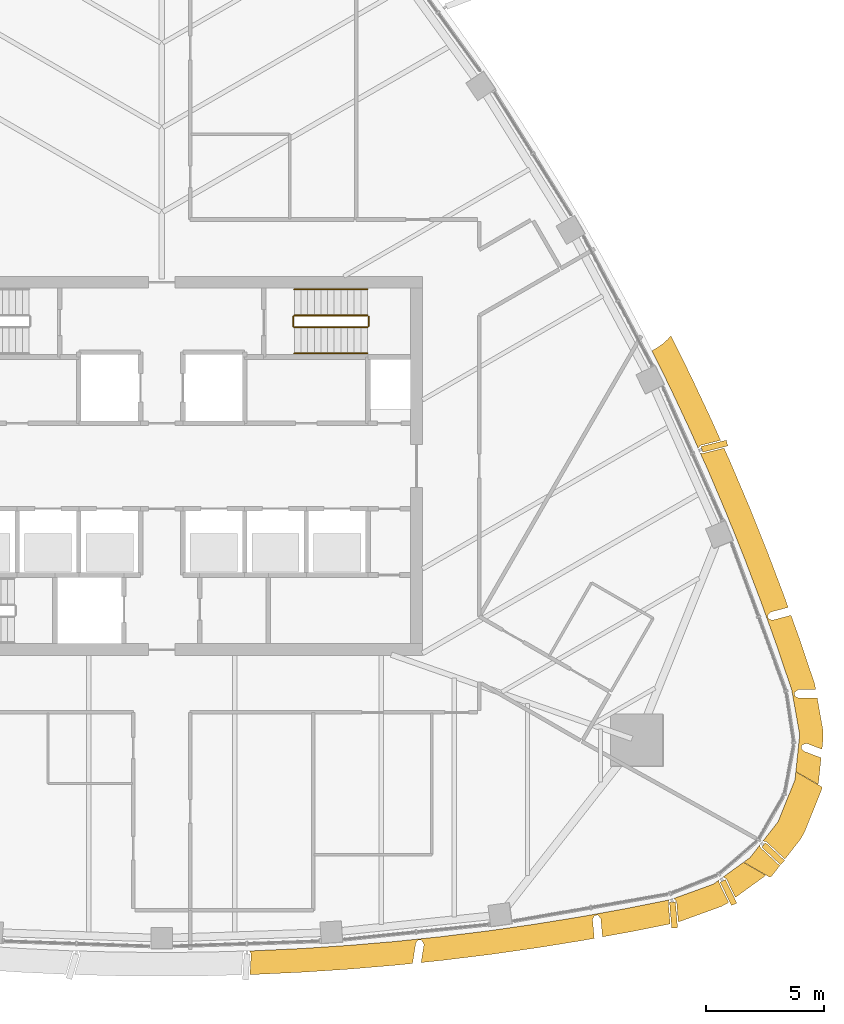
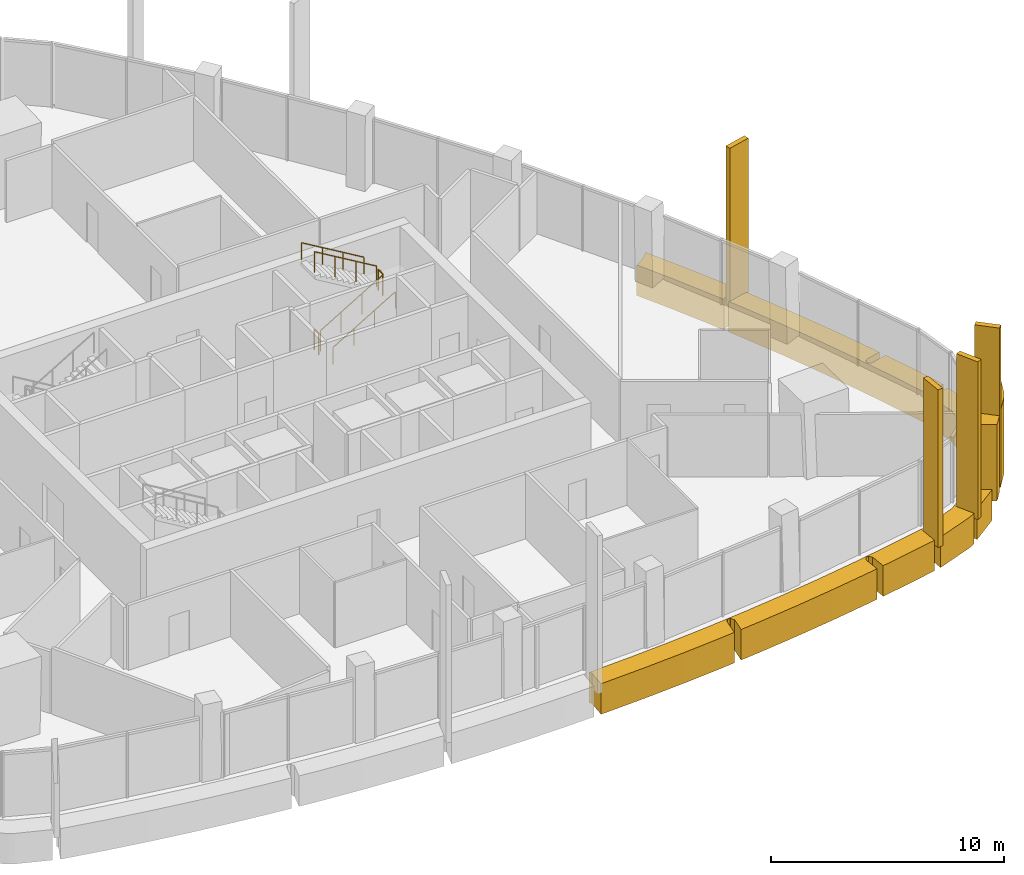
# One storey, part 17 of 19: 11 coverings, 6 railings.
"""IFC4 building model written with IfcOpenShell, lengths in metres."""

import ifcopenshell
import ifcopenshell.guid

model = None  # the IFC model being written
_history = None  # IfcOwnerHistory: only IFC2X3 demands one
_inside = {}  # id of a spatial element -> (the spatial element, [elements in it])
_under = {}  # id of a project, library or spatial element -> (it, [spatial elements below it])
_declared = {}  # id of a project -> (the project, [libraries it declares])
_typed = {}  # id of a type object -> (the type object, [elements of that type])
_made_of = {}  # id of a material, layer set ... -> (it, [elements and type objects made of it])


def new_model(schema):
    """Start an empty IFC model of exactly this schema.

    Asked for "IFC4X3", IfcOpenShell would pick the latest addendum, in which some entities
    have other attributes; the version numbers below select the first issue.
    IFC2X3 requires an IfcOwnerHistory on every rooted entity: one is made here for all.
    """
    global model, _history
    if schema == "IFC4X3":
        model = ifcopenshell.file(schema_version=(4, 3, 0, 0))
    else:
        model = ifcopenshell.file(schema=schema)
    _inside.clear()
    _under.clear()
    _declared.clear()
    _typed.clear()
    _made_of.clear()
    _history = None
    if model.schema == "IFC2X3":
        org = make("IfcOrganization", Name="unknown")
        user = make(
            "IfcPersonAndOrganization",
            ThePerson=make("IfcPerson", FamilyName="unknown"),
            TheOrganization=org,
        )
        app = make(
            "IfcApplication",
            ApplicationDeveloper=org,
            Version="unknown",
            ApplicationFullName="unknown",
            ApplicationIdentifier="unknown",
        )
        _history = make(
            "IfcOwnerHistory",
            OwningUser=user,
            OwningApplication=app,
            ChangeAction="ADDED",
            CreationDate=0,
        )
    return model


def make(cls, **values):
    """One entity of the class cls with the attributes given. An attribute that is None is left unset."""
    return model.create_entity(
        cls, **{name: value for name, value in values.items() if value is not None}
    )


def rooted(cls, **values):
    """An entity with a GlobalId (a new one), such as an element, a storey or a relation."""
    return make(cls, GlobalId=ifcopenshell.guid.new(), OwnerHistory=_history, **values)


def si_unit(unit_type, name, prefix=None):
    """IfcSIUnit, for example si_unit("LENGTHUNIT", "METRE", prefix="MILLI")."""
    return make("IfcSIUnit", UnitType=unit_type, Prefix=prefix, Name=name)


def assignment(units):
    """IfcUnitAssignment: the units of a project."""
    return None if units is None else make("IfcUnitAssignment", Units=units)


def point(xyz):
    """IfcCartesianPoint."""
    return None if xyz is None else make("IfcCartesianPoint", Coordinates=xyz)


def direction(xyz):
    """IfcDirection."""
    return None if xyz is None else make("IfcDirection", DirectionRatios=xyz)


def frame(location, z_axis=None, x_axis=None):
    """IfcAxis2Placement3D, a coordinate frame: its origin and axes. An axis left out is left unset."""
    return make(
        "IfcAxis2Placement3D",
        Location=point(location),
        Axis=direction(z_axis),
        RefDirection=direction(x_axis),
    )


def frame_2d(location, x_axis=None):
    """IfcAxis2Placement2D, a coordinate frame in the plane: its origin and x axis."""
    return make(
        "IfcAxis2Placement2D", Location=point(location), RefDirection=direction(x_axis)
    )


def origin():
    """The frame at (0, 0, 0) with its axes left unset."""
    return frame((0.0, 0.0, 0.0))


def origin_2d():
    """The frame at (0, 0) in the plane with its x axis left unset."""
    return frame_2d((0.0, 0.0))


def place(relative_to, where):
    """IfcLocalPlacement: puts the frame where relative to a parent placement (None: the world)."""
    return make(
        "IfcLocalPlacement", PlacementRelTo=relative_to, RelativePlacement=where
    )


def context(
    kind, dimensions, precision=None, world=None, true_north=None, identifier=None
):
    """IfcGeometricRepresentationContext, for example the 3D "Model" context."""
    return make(
        "IfcGeometricRepresentationContext",
        ContextIdentifier=identifier,
        ContextType=kind,
        CoordinateSpaceDimension=dimensions,
        Precision=precision,
        WorldCoordinateSystem=world,
        TrueNorth=true_north,
    )


def subcontext(parent, identifier, kind, view, scale=None):
    """IfcGeometricRepresentationSubContext, for example "Body" below "Model"."""
    return make(
        "IfcGeometricRepresentationSubContext",
        ContextIdentifier=identifier,
        ContextType=kind,
        ParentContext=parent,
        TargetScale=scale,
        TargetView=view,
    )


def project(units=None, contexts=None):
    """IfcProject with its units and contexts."""
    return rooted(
        "IfcProject",
        Name="project",
        RepresentationContexts=contexts,
        UnitsInContext=assignment(units),
    )


def spatial(cls, under=None, at=None, **own):
    """A site, building, storey or space (cls), placed at a placement, below another one or the project."""
    s = rooted(cls, ObjectPlacement=at, **own)
    if under is not None:
        _under.setdefault(under.id(), (under, []))[1].append(s)
    return s


def polyline(points):
    """IfcPolyline through the points."""
    return make("IfcPolyline", Points=[point(p) for p in points])


def profile(cls, at=None, kind="AREA", **sizes):
    """A parametric profile (cls). Its sizes go by their IFC names, for example OverallWidth=200.0."""
    return make(cls, ProfileType=kind, Position=at, **sizes)


def rectangle(**sizes):
    """IfcRectangleProfileDef."""
    return profile("IfcRectangleProfileDef", **sizes)


def circle(**sizes):
    """IfcCircleProfileDef."""
    return profile("IfcCircleProfileDef", **sizes)


def outline(outer, holes=None, kind="AREA"):
    """IfcArbitraryClosedProfileDef: a profile drawn as a closed curve; with holes, ...WithVoids."""
    if holes is None:
        return make("IfcArbitraryClosedProfileDef", ProfileType=kind, OuterCurve=outer)
    return make(
        "IfcArbitraryProfileDefWithVoids",
        ProfileType=kind,
        OuterCurve=outer,
        InnerCurves=holes,
    )


def extrude(swept, where, along, depth):
    """IfcExtrudedAreaSolid: the profile swept, set in the frame where, extruded along a direction by depth."""
    return make(
        "IfcExtrudedAreaSolid",
        SweptArea=swept,
        Position=where,
        ExtrudedDirection=direction(along),
        Depth=depth,
    )


def shape(context_of_items, identifier, shape_type, items):
    """IfcShapeRepresentation: the items that make up one representation, for example the "Body"."""
    return make(
        "IfcShapeRepresentation",
        ContextOfItems=context_of_items,
        RepresentationIdentifier=identifier,
        RepresentationType=shape_type,
        Items=items,
    )


def material(Name=None, Category=None):
    """IfcMaterial."""
    return make("IfcMaterial", Name=Name, Category=Category)


def layer(
    of_material, thickness, ventilated=None, Name=None, Category=None, Priority=None
):
    """IfcMaterialLayer: one layer of a wall or slab, of a material (None: an air gap)."""
    return make(
        "IfcMaterialLayer",
        Material=of_material,
        LayerThickness=thickness,
        IsVentilated=ventilated,
        Name=Name,
        Category=Category,
        Priority=Priority,
    )


def layer_set(layers, Name=None):
    """IfcMaterialLayerSet."""
    return make("IfcMaterialLayerSet", MaterialLayers=layers, LayerSetName=Name)


def material_profile(
    of_material, cross_section, Name=None, Category=None, Priority=None
):
    """IfcMaterialProfile: a cross section and its material."""
    return make(
        "IfcMaterialProfile",
        Name=Name,
        Material=of_material,
        Profile=cross_section,
        Priority=Priority,
        Category=Category,
    )


def profile_set(profiles, Name=None, composite=None):
    """IfcMaterialProfileSet."""
    return make(
        "IfcMaterialProfileSet",
        Name=Name,
        MaterialProfiles=profiles,
        CompositeProfile=composite,
    )


def made_of(thing, what):
    """Note that an element or type object is made of a material, layer set ...; save() writes the relation."""
    if what is not None:
        _made_of.setdefault(what.id(), (what, []))[1].append(thing)
    return thing


def type_object(cls, material=None, **own):
    """A type object (cls), such as IfcWallType, which elements share."""
    return made_of(rooted(cls, **own), material)


def element(
    cls,
    number,
    at=None,
    inside=None,
    cuts=None,
    type_object=None,
    material=None,
    context=None,
    identifier="Body",
    shape_type=None,
    held_by="IfcProductDefinitionShape",
    body=None,
    shapes=None,
    **own,
):
    """One element of the class cls, such as IfcWall. Its Tag is "e" and its number.

    at: its placement. inside: the storey or other place that contains it. cuts: it is an
    opening in that element (IfcRelVoidsElement). A single representation is given by context,
    identifier, shape_type and body (its items); several are given by shapes. held_by: the class
    of the entity that holds the representations. save() writes the other relations.
    """
    e = rooted(cls, Tag="e%d" % number, ObjectPlacement=at, **own)
    if body is not None:
        shapes = [shape(context, identifier, shape_type, body)]
    if shapes is not None:
        e.Representation = make(held_by, Representations=shapes)
    if inside is not None:
        _inside.setdefault(inside.id(), (inside, []))[1].append(e)
    if cuts is not None:
        rooted(
            "IfcRelVoidsElement", RelatingBuildingElement=cuts, RelatedOpeningElement=e
        )
    if type_object is not None:
        _typed.setdefault(type_object.id(), (type_object, []))[1].append(e)
    return made_of(e, material)


def aggregate(whole, parts):
    """IfcRelAggregates: a whole, such as a stair, and the parts it consists of."""
    return rooted("IfcRelAggregates", RelatingObject=whole, RelatedObjects=parts)


def save(model, path):
    """Write the relations noted so far, then the file.

    IfcRelAggregates (storeys below a building ...), IfcRelContainedInSpatialStructure (elements
    in a storey), IfcRelDefinesByType, IfcRelAssociatesMaterial and IfcRelDeclares: one each for
    every whole, place, type object, material and project.
    """
    for whole, parts in _under.values():
        aggregate(whole, parts)
    for where, things in _inside.values():
        rooted(
            "IfcRelContainedInSpatialStructure",
            RelatedElements=things,
            RelatingStructure=where,
        )
    for kind, things in _typed.values():
        rooted("IfcRelDefinesByType", RelatedObjects=things, RelatingType=kind)
    for what, things in _made_of.values():
        rooted("IfcRelAssociatesMaterial", RelatedObjects=things, RelatingMaterial=what)
    for by, libraries in _declared.values():
        rooted("IfcRelDeclares", RelatingContext=by, RelatedDefinitions=libraries)
    model.write(path)


model = new_model("IFC4")

# Units and contexts
model_context = context("Model", 3, precision=1e-05, world=origin(), true_north=direction((0.0, 1.0)))
body_context = subcontext(model_context, "Body", "Model", "MODEL_VIEW")
ifc_project = project(units=[si_unit("LENGTHUNIT", "METRE"), si_unit("AREAUNIT", "SQUARE_METRE"), si_unit("VOLUMEUNIT", "CUBIC_METRE"), si_unit("PLANEANGLEUNIT", "RADIAN"), si_unit("MASSUNIT", "GRAM", prefix="KILO")], contexts=[model_context])

# Site, building, storey
site_placement = place(None, origin())
site = spatial("IfcSite", under=ifc_project, at=site_placement, CompositionType="ELEMENT")
building_placement = place(site_placement, origin())
building = spatial("IfcBuilding", under=site, at=building_placement, Name="Sierra Prisma Convention Tower", CompositionType="ELEMENT")
storey_placement = place(building_placement, frame((0.0, 0.0, 311.0)))
storey = spatial("IfcBuildingStorey", under=building, at=storey_placement, Name="L71", CompositionType="ELEMENT", Elevation=311.0)

# Coverings
ifc_material_1 = material(Name="Aluminium composite bronze anodised", Category="aluminium")
ifc_layer_1 = layer(ifc_material_1, 1.199951171875)
ifc_layer_set_1 = layer_set([ifc_layer_1], Name="Bronze corner pier")
covering_type_1 = type_object("IfcCoveringType", Name="Bronze corner pier", PredefinedType="CLADDING", material=ifc_layer_set_1)
covering_1_placement = place(storey_placement, frame((0.0, 0.0, -0.60009765625)))
element("IfcCovering", 1, at=covering_1_placement, inside=storey, type_object=covering_type_1, Name="Corner pier SE L71.1", PredefinedType="CLADDING", context=body_context, shape_type="SweptSolid", body=[
    extrude(outline(polyline([(26.72216796875, -13.239501953125), (26.756591796875, -12.90771484375), (27.869384765625, -13.550048828125), (27.8349609375, -13.688720703125), (27.11865234375, -15.463623046875), (26.951171875, -15.753662109375), (26.2978515625, -16.58935546875), (25.516357421875, -15.860107421875), (25.512451171875, -15.856689453125), (25.50830078125, -15.85400390625), (25.50390625, -15.8515625), (25.499267578125, -15.849609375), (25.494384765625, -15.84814453125), (25.489501953125, -15.84716796875), (25.36865234375, -15.829345703125), (26.005859375, -15.014404296875), (26.72216796875, -13.239501953125)])), origin(), (0.0, 0.0, 1.0), 4.0),
])
covering_2_placement = place(storey_placement, frame((0.0, 0.0, -0.60009765625)))
element("IfcCovering", 2, at=covering_2_placement, inside=storey, type_object=covering_type_1, Name="Corner pier SE L71.2", PredefinedType="CLADDING", context=body_context, shape_type="SweptSolid", body=[
    extrude(outline(polyline([(25.277587890625, -16.115966796875), (26.081298828125, -16.8662109375), (25.772216796875, -17.261474609375), (25.66943359375, -17.360595703125), (24.556640625, -16.718017578125), (24.826904296875, -16.522216796875), (25.234375, -16.001220703125), (25.26416015625, -16.094482421875), (25.265869140625, -16.099365234375), (25.26806640625, -16.10400390625), (25.27099609375, -16.1083984375), (25.27392578125, -16.1123046875), (25.277587890625, -16.115966796875)])), origin(), (0.0, 0.0, 1.0), 4.0),
])
ifc_material_2 = material(Name="Aluminium 6063-T6 bronze anodised", Category="aluminium")
ifc_material_profile = material_profile(ifc_material_2, rectangle(XDim=1.10009765625, YDim=0.25, at=origin_2d()), Name="ALU FIN 1100x250")
ifc_profile_set = profile_set([ifc_material_profile], Name="Aluminium 6063-T6 bronze anodised")
covering_type_2 = type_object("IfcCoveringType", Name="Bronze facade fin", PredefinedType="CLADDING", material=ifc_profile_set)
for number, where, z_axis, x_axis, name in (
    (3, (21.597900390625, -18.945556640625, -0.300048828125), (0.0, 0.0, 1.0), (0.085218536189, -0.996362284056, 0.0), "Fin L71.18"),
    (4, (23.9140625, -18.0009765625, -0.300048828125), (0.0, 0.0, 1.0), (0.437322256847, -0.89930486692, 0.0), "Fin L71.19"),
    (5, (25.799072265625, -16.36328125, -0.300048828125), (0.0, 0.0, 1.0), (0.731088425048, -0.682282723481, 0.0), "Fin L71.20"),
    (6, (23.322021484375, 0.8349609375, -0.300048828125), (0.0, 0.0, 1.0), (0.970012824115, 0.243053741077, 0.0), "Fin L71.27"),
):
    element("IfcCovering", number, at=place(storey_placement, frame(where, z_axis=z_axis, x_axis=x_axis)), inside=storey, type_object=covering_type_2, Name=name, ObjectType="FIN", PredefinedType="CLADDING", context=body_context, shape_type="SweptSolid", body=[
        extrude(rectangle(XDim=1.10009765625, YDim=0.25, at=origin_2d()), origin(), (0.0, 0.0, 1.0), 8.25),
    ])
ifc_material_3 = material(Name="Aluminium composite bronze anodised", Category="aluminium")
ifc_layer_2 = layer(ifc_material_3, 1.0)
ifc_layer_set_2 = layer_set([ifc_layer_2], Name="Bronze spandrel band")
covering_type_3 = type_object("IfcCoveringType", Name="Bronze spandrel band", PredefinedType="CLADDING", material=ifc_layer_set_2)
covering_3_placement = place(storey_placement, frame((0.0, 0.0, -1.60009765625)))
element("IfcCovering", 7, at=covering_3_placement, inside=storey, type_object=covering_type_3, Name="Spandrel band L71.5", PredefinedType="CLADDING", context=body_context, shape_type="SweptSolid", body=[
    extrude(outline(polyline([(22.348388671875, 3.752197265625), (22.3564453125, 3.7353515625), (23.19189453125, 1.955078125), (23.199951171875, 1.93798828125), (23.582763671875, 1.080810546875), (22.74609375, 0.87109375), (22.741455078125, 0.86962890625), (22.7373046875, 0.867919921875), (22.733154296875, 0.86572265625), (22.729248046875, 0.86328125), (22.7255859375, 0.860595703125), (22.72216796875, 0.857421875), (22.718994140625, 0.853759765625), (22.635498046875, 0.74951171875), (22.286865234375, 1.5302734375), (21.451171875, 3.310546875), (20.685546875, 4.864501953125), (20.75341796875, 4.900634765625), (20.966552734375, 5.028076171875), (21.166015625, 5.17578125), (21.35009765625, 5.34228515625), (21.4892578125, 5.49609375), (22.348388671875, 3.752197265625)])), origin(), (0.0, 0.0, 1.0), 1.60009765625),
])
covering_4_placement = place(storey_placement, frame((0.0, 0.0, -1.60009765625)))
element("IfcCovering", 8, at=covering_4_placement, inside=storey, type_object=covering_type_3, Name="Spandrel band L71.6", PredefinedType="CLADDING", context=body_context, shape_type="SweptSolid", body=[
    extrude(outline(polyline([(25.682373046875, -6.170654296875), (25.6787109375, -6.173828125), (25.675048828125, -6.177490234375), (25.5771484375, -6.2919921875), (25.57421875, -6.295654296875), (25.571533203125, -6.2998046875), (25.569580078125, -6.303955078125), (25.567626953125, -6.30859375), (25.56640625, -6.31298828125), (25.565673828125, -6.31787109375), (25.565185546875, -6.322509765625), (25.565185546875, -6.327392578125), (25.565673828125, -6.33203125), (25.566650390625, -6.3369140625), (25.568115234375, -6.34130859375), (25.601806640625, -6.435546875), (25.603759765625, -6.43994140625), (25.60595703125, -6.4443359375), (25.608642578125, -6.4482421875), (25.61181640625, -6.4521484375), (25.615234375, -6.45556640625), (25.618896484375, -6.45849609375), (25.623046875, -6.461181640625), (25.627197265625, -6.463623046875), (25.631591796875, -6.465576171875), (25.63623046875, -6.467041015625), (25.76416015625, -6.500244140625), (25.769287109375, -6.501220703125), (25.7744140625, -6.501708984375), (25.779296875, -6.501708984375), (25.784423828125, -6.501220703125), (25.78955078125, -6.500244140625), (26.5537109375, -6.298828125), (26.8955078125, -7.250732421875), (26.901611328125, -7.2685546875), (27.53125, -9.131591796875), (27.568359375, -9.276123046875), (27.596435546875, -9.4326171875), (26.874755859375, -9.43408203125), (26.8701171875, -9.4345703125), (26.865478515625, -9.43505859375), (26.861083984375, -9.436279296875), (26.856689453125, -9.437744140625), (26.852294921875, -9.439697265625), (26.848388671875, -9.44189453125), (26.844482421875, -9.444580078125), (26.718017578125, -9.54150390625), (26.714111328125, -9.544677734375), (26.710693359375, -9.548095703125), (26.70751953125, -9.552001953125), (26.704833984375, -9.556396484375), (26.70263671875, -9.560791015625), (26.70068359375, -9.565185546875), (26.699462890625, -9.570068359375), (26.698486328125, -9.574951171875), (26.6982421875, -9.580078125), (26.698486328125, -9.5849609375), (26.698974609375, -9.58984375), (26.716552734375, -9.688232421875), (26.7177734375, -9.693359375), (26.719482421875, -9.6982421875), (26.7216796875, -9.702880859375), (26.724365234375, -9.70751953125), (26.727294921875, -9.71142578125), (26.73095703125, -9.71533203125), (26.73486328125, -9.71875), (26.739013671875, -9.7216796875), (26.743408203125, -9.724365234375), (26.85302734375, -9.779052734375), (26.857421875, -9.781005859375), (26.86181640625, -9.7822265625), (26.8662109375, -9.783447265625), (26.870849609375, -9.783935546875), (26.87548828125, -9.7841796875), (27.65869140625, -9.78271484375), (27.904541015625, -11.160400390625), (27.91455078125, -11.439208984375), (27.861083984375, -11.954345703125), (27.22509765625, -11.711181640625), (27.220458984375, -11.709716796875), (27.215576171875, -11.708740234375), (27.210693359375, -11.7080078125), (27.205810546875, -11.7080078125), (27.20068359375, -11.70849609375), (27.19580078125, -11.709228515625), (27.191162109375, -11.710693359375), (27.0322265625, -11.765380859375), (27.02783203125, -11.76708984375), (27.023681640625, -11.769287109375), (27.019775390625, -11.771728515625), (27.015869140625, -11.774658203125), (27.012451171875, -11.77783203125), (27.009521484375, -11.781494140625), (27.006591796875, -11.785400390625), (27.004150390625, -11.789306640625), (27.002197265625, -11.793701171875), (27.000732421875, -11.798095703125), (26.99951171875, -11.802734375), (26.998779296875, -11.807373046875), (26.988525390625, -11.906982421875), (26.98828125, -11.911865234375), (26.98828125, -11.916748046875), (26.989013671875, -11.921630859375), (26.990234375, -11.926513671875), (26.991943359375, -11.93115234375), (26.994140625, -11.935546875), (26.99658203125, -11.93994140625), (26.99951171875, -11.94384765625), (27.0029296875, -11.947509765625), (27.082763671875, -12.02685546875), (27.086669921875, -12.030517578125), (27.0908203125, -12.033447265625), (27.095458984375, -12.0361328125), (27.10009765625, -12.0380859375), (27.82373046875, -12.314697265625), (27.716796875, -13.343017578125), (27.693603515625, -13.43701171875), (26.7578125, -12.896728515625), (26.919921875, -11.3359375), (26.583984375, -9.45166015625), (25.954345703125, -7.5888671875), (25.289794921875, -5.738037109375), (24.590576171875, -3.89990234375), (23.856689453125, -2.075439453125), (23.088623046875, -0.26513671875), (22.724609375, 0.5498046875), (22.80810546875, 0.53125), (22.8125, 0.530517578125), (22.817138671875, 0.530029296875), (22.82177734375, 0.530029296875), (22.826416015625, 0.530517578125), (22.8310546875, 0.531494140625), (23.727783203125, 0.756103515625), (24.001708984375, 0.142578125), (24.00927734375, 0.125244140625), (24.77734375, -1.68505859375), (24.784423828125, -1.702392578125), (25.518310546875, -3.52685546875), (25.525146484375, -3.54443359375), (26.224365234375, -5.38232421875), (26.23095703125, -5.39990234375), (26.43505859375, -5.968017578125), (25.700439453125, -6.16162109375), (25.695556640625, -6.163330078125), (25.69091796875, -6.165283203125), (25.6865234375, -6.167724609375), (25.682373046875, -6.170654296875)])), origin(), (0.0, 0.0, 1.0), 1.60009765625),
])
covering_5_placement = place(storey_placement, frame((0.0, 0.0, -1.60009765625)))
element("IfcCovering", 9, at=covering_5_placement, inside=storey, type_object=covering_type_3, Name="Spandrel band L71.7", PredefinedType="CLADDING", context=body_context, shape_type="SweptSolid", body=[
    extrude(outline(polyline([(25.413818359375, -17.331787109375), (24.208251953125, -18.205810546875), (23.8310546875, -17.4296875), (23.828857421875, -17.42578125), (23.826171875, -17.421875), (23.8232421875, -17.418212890625), (23.820068359375, -17.4150390625), (23.81640625, -17.412109375), (23.8125, -17.4091796875), (23.80859375, -17.406982421875), (23.689208984375, -17.3466796875), (24.5478515625, -16.724609375), (25.4833984375, -17.264892578125), (25.413818359375, -17.331787109375)])), origin(), (0.0, 0.0, 1.0), 1.60009765625),
])
covering_6_placement = place(storey_placement, frame((0.0, 0.0, -1.60009765625)))
element("IfcCovering", 10, at=covering_6_placement, inside=storey, type_object=covering_type_3, Name="Spandrel band L71.8", PredefinedType="CLADDING", context=body_context, shape_type="SweptSolid", body=[
    extrude(outline(polyline([(23.51123046875, -17.560302734375), (23.511474609375, -17.56494140625), (23.511962890625, -17.569580078125), (23.512939453125, -17.57421875), (23.514404296875, -17.57861328125), (23.51611328125, -17.5830078125), (23.92041015625, -18.414306640625), (23.864013671875, -18.455078125), (23.617431640625, -18.585693359375), (21.817626953125, -19.23681640625), (21.798828125, -19.2421875), (21.725341796875, -18.382568359375), (21.724853515625, -18.377685546875), (21.7236328125, -18.372802734375), (21.721923828125, -18.3681640625), (21.719970703125, -18.363525390625), (21.71728515625, -18.359375), (21.71435546875, -18.355224609375), (21.711181640625, -18.3515625), (21.609130859375, -18.248779296875), (23.277099609375, -17.6455078125), (23.51220703125, -17.47509765625), (23.51123046875, -17.560302734375)])), origin(), (0.0, 0.0, 1.0), 1.60009765625),
])
covering_7_placement = place(storey_placement, frame((0.0, 0.0, -1.60009765625)))
element("IfcCovering", 11, at=covering_7_placement, inside=storey, type_object=covering_type_3, Name="Spandrel band L71.9", PredefinedType="CLADDING", context=body_context, shape_type="SweptSolid", body=[
    extrude(outline(polyline([(18.39794921875, -18.95556640625), (18.393310546875, -18.954345703125), (18.388427734375, -18.95361328125), (18.3837890625, -18.953369140625), (18.37890625, -18.95361328125), (18.374267578125, -18.9541015625), (18.27587890625, -18.971923828125), (18.27099609375, -18.972900390625), (18.2666015625, -18.974609375), (18.26220703125, -18.9765625), (18.2578125, -18.97900390625), (18.25390625, -18.981689453125), (18.250244140625, -18.98486328125), (18.246826171875, -18.98828125), (18.243896484375, -18.9921875), (18.2412109375, -18.996337890625), (18.239013671875, -19.000732421875), (18.18505859375, -19.121337890625), (18.183349609375, -19.126220703125), (18.181884765625, -19.131103515625), (18.18115234375, -19.135986328125), (18.180908203125, -19.14111328125), (18.180908203125, -19.146240234375), (18.253173828125, -19.933349609375), (17.7919921875, -20.0166015625), (17.7734375, -20.02001953125), (15.83203125, -20.333251953125), (15.8134765625, -20.3359375), (13.86669921875, -20.61279296875), (13.847900390625, -20.615234375), (11.89599609375, -20.855224609375), (11.87744140625, -20.857421875), (10.943603515625, -20.95458984375), (11.064208984375, -20.2001953125), (11.064697265625, -20.1953125), (11.064697265625, -20.1904296875), (11.064208984375, -20.185302734375), (11.0634765625, -20.1806640625), (11.06201171875, -20.17578125), (11.06005859375, -20.171142578125), (11.0576171875, -20.166748046875), (10.9716796875, -20.022705078125), (10.968994140625, -20.0185546875), (10.966064453125, -20.014892578125), (10.962646484375, -20.01171875), (10.958984375, -20.008544921875), (10.955078125, -20.005859375), (10.951171875, -20.00341796875), (10.94677734375, -20.001708984375), (10.9423828125, -20.0), (10.937744140625, -19.9990234375), (10.93310546875, -19.998291015625), (10.92822265625, -19.998291015625), (10.923583984375, -19.99853515625), (10.82421875, -20.0087890625), (10.819091796875, -20.009521484375), (10.814453125, -20.0107421875), (10.809814453125, -20.012451171875), (10.805419921875, -20.0146484375), (10.801025390625, -20.01708984375), (10.797119140625, -20.020263671875), (10.79345703125, -20.023681640625), (10.790283203125, -20.02734375), (10.787353515625, -20.03125), (10.72607421875, -20.125732421875), (10.723388671875, -20.13037109375), (10.72119140625, -20.135009765625), (10.719482421875, -20.139892578125), (10.718505859375, -20.14501953125), (10.583251953125, -20.991943359375), (9.92138671875, -21.060791015625), (9.902587890625, -21.0625), (7.943359375, -21.22900390625), (7.924560546875, -21.230224609375), (5.96240234375, -21.35986328125), (5.943603515625, -21.36083984375), (3.979248046875, -21.453369140625), (3.96044921875, -21.4541015625), (3.723388671875, -21.460693359375), (3.774658203125, -20.59423828125), (3.774658203125, -20.589111328125), (3.774169921875, -20.584228515625), (3.773193359375, -20.579345703125), (3.771728515625, -20.574462890625), (3.77001953125, -20.56982421875), (3.767578125, -20.5654296875), (3.7041015625, -20.4609375), (3.93212890625, -20.45458984375), (5.896484375, -20.362060546875), (7.858642578125, -20.232421875), (9.818115234375, -20.066162109375), (11.774169921875, -19.86279296875), (13.725830078125, -19.622802734375), (15.6728515625, -19.345947265625), (17.614013671875, -19.03271484375), (19.54931640625, -18.682861328125), (21.4072265625, -18.310546875), (21.37939453125, -18.391845703125), (21.377685546875, -18.39697265625), (21.376953125, -18.402099609375), (21.37646484375, -18.4072265625), (21.376708984375, -18.412353515625), (21.454345703125, -19.321044921875), (19.74560546875, -19.663330078125), (19.727294921875, -19.666748046875), (18.598876953125, -19.870849609375), (18.529541015625, -19.1142578125), (18.52880859375, -19.109375), (18.527587890625, -19.1044921875), (18.52587890625, -19.099609375), (18.523681640625, -19.09521484375), (18.52099609375, -19.0908203125), (18.51806640625, -19.0869140625), (18.42138671875, -18.97119140625), (18.418212890625, -18.9677734375), (18.414794921875, -18.964599609375), (18.410888671875, -18.961669921875), (18.40673828125, -18.959228515625), (18.40234375, -18.957275390625), (18.39794921875, -18.95556640625)])), origin(), (0.0, 0.0, 1.0), 1.60009765625),
])

# Railings
ifc_material_4 = material(Name="Stainless steel", Category="steel")
railing_type_1 = type_object("IfcRailingType", Name="Exit stair handrail", PredefinedType="HANDRAIL", material=ifc_material_4)
railing_1_placement = place(storey_placement, frame((5.60009765625, 4.75, 0.166748046875)))
element("IfcRailing", 12, at=railing_1_placement, inside=storey, type_object=railing_type_1, Name="L71 S4 stair handrail 1", PredefinedType="HANDRAIL", context=body_context, shape_type="SweptSolid", body=[
    extrude(circle(Radius=0.02392578125, at=origin_2d()), frame((0.0, 0.0, 0.8759765625), z_axis=(0.859290745958, 0.0, 0.51148745235), x_axis=(0.0, 1.0, 0.0)), (0.0, 0.0, 1.0), 3.584228515625),
    extrude(circle(Radius=0.02099609375, at=origin_2d()), origin(), (0.0, 0.0, 1.0), 0.851806640625),
    extrude(circle(Radius=0.02099609375, at=origin_2d()), frame((1.026611328125, 0.0, 0.611083984375)), (0.0, 0.0, 1.0), 0.851806640625),
    extrude(circle(Radius=0.02099609375, at=origin_2d()), frame((2.05322265625, 0.0, 1.22216796875)), (0.0, 0.0, 1.0), 0.851806640625),
    extrude(circle(Radius=0.02099609375, at=origin_2d()), frame((3.079833984375, 0.0, 1.833251953125)), (0.0, 0.0, 1.0), 0.851806640625),
])
railing_2_placement = place(storey_placement, frame((8.679931640625, 7.449951171875, 2.166748046875)))
element("IfcRailing", 13, at=railing_2_placement, inside=storey, type_object=railing_type_1, Name="L71 S4 stair handrail 2", PredefinedType="HANDRAIL", context=body_context, shape_type="SweptSolid", body=[
    extrude(circle(Radius=0.02392578125, at=origin_2d()), frame((0.0, 0.0, 0.8759765625), z_axis=(-0.859290745958, 0.0, 0.51148745235), x_axis=(0.0, -1.0, 0.0)), (0.0, 0.0, 1.0), 3.584228515625),
    extrude(circle(Radius=0.02099609375, at=origin_2d()), origin(), (0.0, 0.0, 1.0), 0.851806640625),
    extrude(circle(Radius=0.02099609375, at=origin_2d()), frame((-1.026611328125, 0.0, 0.611083984375)), (0.0, 0.0, 1.0), 0.851806640625),
    extrude(circle(Radius=0.02099609375, at=origin_2d()), frame((-2.05322265625, 0.0, 1.22216796875)), (0.0, 0.0, 1.0), 0.851806640625),
    extrude(circle(Radius=0.02099609375, at=origin_2d()), frame((-3.079833984375, 0.0, 1.833251953125)), (0.0, 0.0, 1.0), 0.851806640625),
])
ifc_material_5 = material(Name="Stainless steel", Category="steel")
railing_type_2 = type_object("IfcRailingType", Name="Stair guard 1100", PredefinedType="GUARDRAIL", material=ifc_material_5)
railing_3_placement = place(storey_placement, frame((5.60009765625, 5.85009765625, 0.166748046875)))
element("IfcRailing", 14, at=railing_3_placement, inside=storey, type_object=railing_type_2, Name="L71 S4 stair guard 1", PredefinedType="GUARDRAIL", context=body_context, shape_type="SweptSolid", body=[
    extrude(circle(Radius=0.02392578125, at=origin_2d()), frame((0.0, 0.0, 1.076171875), z_axis=(0.859290745958, 0.0, 0.51148745235), x_axis=(0.0, 1.0, 0.0)), (0.0, 0.0, 1.0), 3.584228515625),
    extrude(circle(Radius=0.02099609375, at=origin_2d()), origin(), (0.0, 0.0, 1.0), 1.052001953125),
    extrude(circle(Radius=0.02099609375, at=origin_2d()), frame((1.026611328125, 0.0, 0.611083984375)), (0.0, 0.0, 1.0), 1.052001953125),
    extrude(circle(Radius=0.02099609375, at=origin_2d()), frame((2.05322265625, 0.0, 1.22216796875)), (0.0, 0.0, 1.0), 1.052001953125),
    extrude(circle(Radius=0.02099609375, at=origin_2d()), frame((3.079833984375, 0.0, 1.833251953125)), (0.0, 0.0, 1.0), 1.052001953125),
])
railing_4_placement = place(storey_placement, frame((8.72998046875, 5.89990234375, 2.0)))
element("IfcRailing", 15, at=railing_4_placement, inside=storey, type_object=railing_type_2, Name="L71 S4 stair guard 2", PredefinedType="GUARDRAIL", context=body_context, shape_type="SweptSolid", body=[
    extrude(circle(Radius=0.02392578125, at=origin_2d()), frame((0.0, 0.0, 1.076171875), z_axis=(0.0, 1.0, 0.0), x_axis=(-1.0, 0.0, 0.0)), (0.0, 0.0, 1.0), 0.400146484375),
    extrude(circle(Radius=0.02099609375, at=origin_2d()), origin(), (0.0, 0.0, 1.0), 1.052001953125),
    extrude(circle(Radius=0.02099609375, at=origin_2d()), frame((0.0, 0.400146484375, 0.0)), (0.0, 0.0, 1.0), 1.052001953125),
])
railing_5_placement = place(storey_placement, frame((8.679931640625, 6.35009765625, 2.166748046875)))
element("IfcRailing", 16, at=railing_5_placement, inside=storey, type_object=railing_type_2, Name="L71 S4 stair guard 3", PredefinedType="GUARDRAIL", context=body_context, shape_type="SweptSolid", body=[
    extrude(circle(Radius=0.02392578125, at=origin_2d()), frame((0.0, 0.0, 1.076171875), z_axis=(-0.859290745958, 0.0, 0.51148745235), x_axis=(0.0, -1.0, 0.0)), (0.0, 0.0, 1.0), 3.584228515625),
    extrude(circle(Radius=0.02099609375, at=origin_2d()), origin(), (0.0, 0.0, 1.0), 1.052001953125),
    extrude(circle(Radius=0.02099609375, at=origin_2d()), frame((-1.026611328125, 0.0, 0.611083984375)), (0.0, 0.0, 1.0), 1.052001953125),
    extrude(circle(Radius=0.02099609375, at=origin_2d()), frame((-2.05322265625, 0.0, 1.22216796875)), (0.0, 0.0, 1.0), 1.052001953125),
    extrude(circle(Radius=0.02099609375, at=origin_2d()), frame((-3.079833984375, 0.0, 1.833251953125)), (0.0, 0.0, 1.0), 1.052001953125),
])
railing_6_placement = place(storey_placement, frame((5.550048828125, 5.89990234375, 0.0)))
element("IfcRailing", 17, at=railing_6_placement, inside=storey, type_object=railing_type_2, Name="L71 S4 stair guard 4", PredefinedType="GUARDRAIL", context=body_context, shape_type="SweptSolid", body=[
    extrude(circle(Radius=0.02392578125, at=origin_2d()), frame((0.0, 0.0, 1.076171875), z_axis=(0.0, 1.0, 0.0), x_axis=(-1.0, 0.0, 0.0)), (0.0, 0.0, 1.0), 0.400146484375),
    extrude(circle(Radius=0.02099609375, at=origin_2d()), origin(), (0.0, 0.0, 1.0), 1.052001953125),
    extrude(circle(Radius=0.02099609375, at=origin_2d()), frame((0.0, 0.400146484375, 0.0)), (0.0, 0.0, 1.0), 1.052001953125),
])

save(model, "model.ifc")
